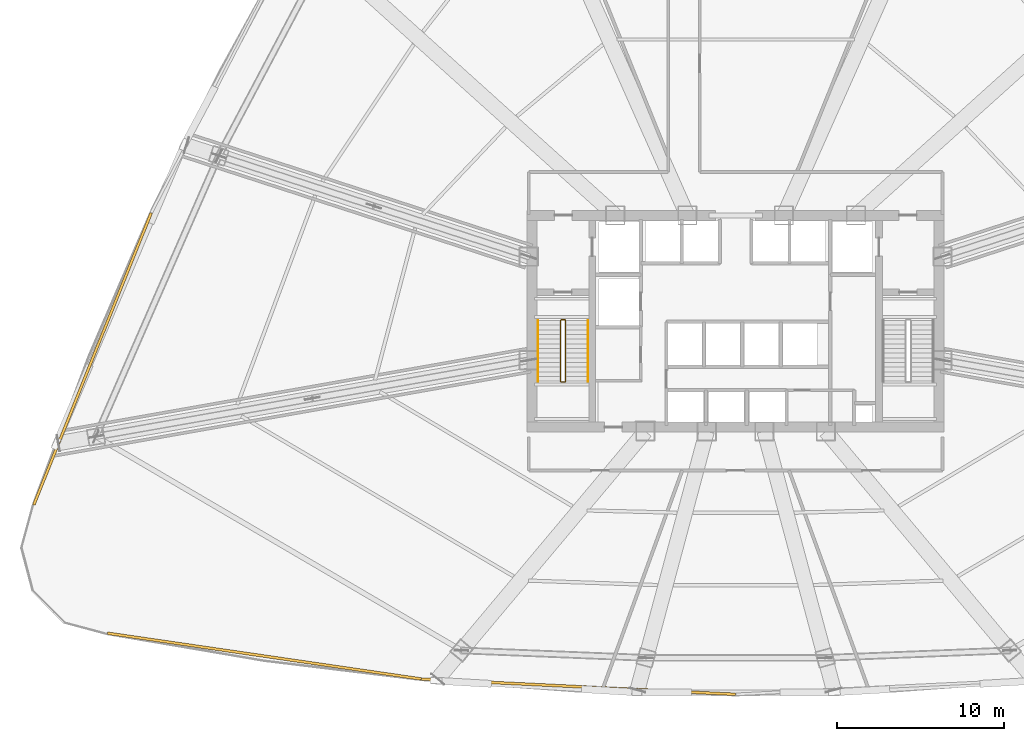
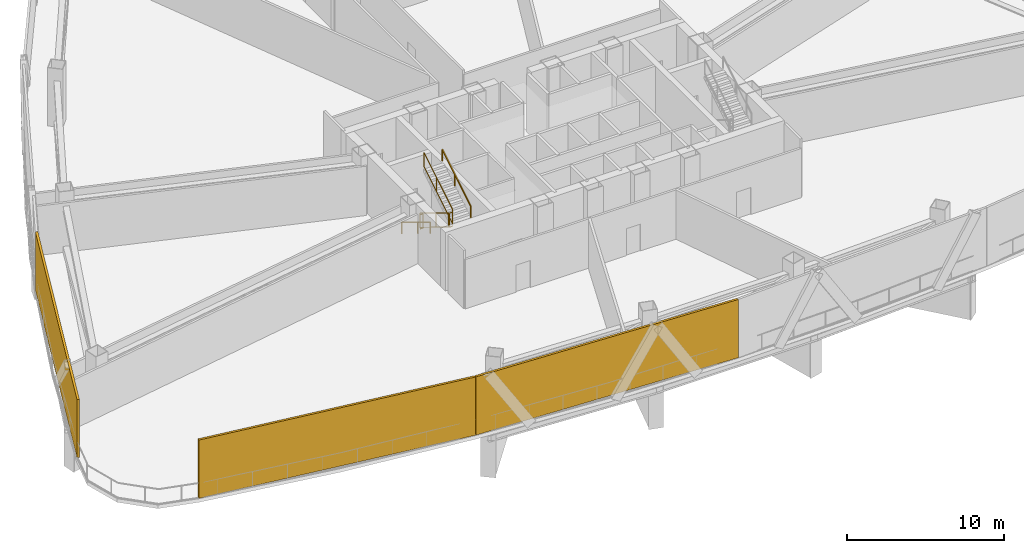
# One storey, part 12 of 17: 6 railings, 3 shading devices.
"""IFC4 building model written with IfcOpenShell, lengths in metres."""

from ifc_helpers import new_model, si_unit, direction, frame, origin, origin_2d, place, context, subcontext, project, spatial, rectangle, extrude, source, transform, mapped, material, layer, layer_set, type_object, element, save


model = new_model("IFC4")

# Units and contexts
model_context = context("Model", 3, precision=1e-05, world=origin(), true_north=direction((0.0, 1.0)))
body_context = subcontext(model_context, "Body", "Model", "MODEL_VIEW")
ifc_project = project(units=[si_unit("LENGTHUNIT", "METRE"), si_unit("AREAUNIT", "SQUARE_METRE"), si_unit("VOLUMEUNIT", "CUBIC_METRE"), si_unit("PLANEANGLEUNIT", "RADIAN"), si_unit("MASSUNIT", "GRAM", prefix="KILO"), si_unit("THERMODYNAMICTEMPERATUREUNIT", "KELVIN"), si_unit("POWERUNIT", "WATT")], contexts=[model_context])

# Site, building, storey
site_placement = place(None, origin())
site = spatial("IfcSite", under=ifc_project, at=site_placement, CompositionType="ELEMENT")
building_placement = place(site_placement, origin())
building = spatial("IfcBuilding", under=site, at=building_placement, Name="Yunzhuo Pagoda Commons", CompositionType="ELEMENT")
storey_placement = place(building_placement, frame((0.0, 0.0, 76.3798828125)))
storey = spatial("IfcBuildingStorey", under=building, at=storey_placement, Name="L19", CompositionType="ELEMENT", Elevation=76.3798828125)

# Railings
ifc_material = material(Name="Anodized aluminium 6063-T6", Category="aluminium")
railing_type_1 = type_object("IfcRailingType", Name="GR-ST1 Stair Well Guardrail 1150", PredefinedType="GUARDRAIL", material=ifc_material)
railing_1_placement = place(storey_placement, frame((37.5, 33.89990234375, 0.171630859375)))
element("IfcRailing", 1, at=railing_1_placement, inside=storey, type_object=railing_type_1, Name="L19 ST1 stair guard 1", PredefinedType="GUARDRAIL", context=body_context, shape_type="SweptSolid", body=[
    extrude(rectangle(XDim=0.048095703125, YDim=0.048095703125, at=origin_2d()), frame((0.0, 0.0, 1.1259765625), z_axis=(0.0, -0.852850264322, 0.5221555579), x_axis=(1.0, 0.0, 0.0)), (0.0, 0.0, 1.0), 4.267822265625),
    extrude(rectangle(XDim=0.048095703125, YDim=0.048095703125, at=origin_2d()), frame((0.0, 0.0, 0.02392578125), z_axis=(0.0, -0.852850264322, 0.5221555579), x_axis=(1.0, 0.0, 0.0)), (0.0, 0.0, 1.0), 4.267822265625),
    extrude(rectangle(XDim=0.0419921875, YDim=0.0419921875, at=origin_2d()), origin(), (0.0, 0.0, 1.0), 1.101806640625),
    extrude(rectangle(XDim=0.0419921875, YDim=0.0419921875, at=origin_2d()), frame((0.0, -2.046875, 1.253173828125)), (0.0, 0.0, 1.0), 1.101806640625),
    extrude(rectangle(XDim=0.0419921875, YDim=0.0419921875, at=origin_2d()), frame((0.0, -3.639892578125, 2.228515625)), (0.0, 0.0, 1.0), 1.101806640625),
])
railing_2_placement = place(storey_placement, frame((37.550048828125, 30.2099609375, 2.400146484375)))
element("IfcRailing", 2, at=railing_2_placement, inside=storey, type_object=railing_type_1, Name="L19 ST1 stair guard 2", PredefinedType="GUARDRAIL", context=body_context, shape_type="SweptSolid", body=[
    extrude(rectangle(XDim=0.048095703125, YDim=0.048095703125, at=origin_2d()), frame((0.0, 0.0, 1.1259765625), z_axis=(1.0, 0.0, 0.0), x_axis=(0.0, 1.0, 0.0)), (0.0, 0.0, 1.0), 0.199951171875),
    extrude(rectangle(XDim=0.048095703125, YDim=0.048095703125, at=origin_2d()), frame((0.0, 0.0, 0.02392578125), z_axis=(1.0, 0.0, 0.0), x_axis=(0.0, 1.0, 0.0)), (0.0, 0.0, 1.0), 0.199951171875),
    extrude(rectangle(XDim=0.0419921875, YDim=0.0419921875, at=origin_2d()), origin(), (0.0, 0.0, 1.0), 1.101806640625),
    extrude(rectangle(XDim=0.0419921875, YDim=0.0419921875, at=origin_2d()), frame((0.199951171875, 0.0, 0.0)), (0.0, 0.0, 1.0), 1.101806640625),
])
railing_3_placement = place(storey_placement, frame((37.800048828125, 30.260009765625, 2.571533203125)))
element("IfcRailing", 3, at=railing_3_placement, inside=storey, type_object=railing_type_1, Name="L19 ST1 stair guard 3", PredefinedType="GUARDRAIL", context=body_context, shape_type="SweptSolid", body=[
    extrude(rectangle(XDim=0.048095703125, YDim=0.048095703125, at=origin_2d()), frame((0.0, 0.0, 1.1259765625), z_axis=(0.0, 0.852850264322, 0.5221555579), x_axis=(-1.0, 0.0, 0.0)), (0.0, 0.0, 1.0), 4.267822265625),
    extrude(rectangle(XDim=0.048095703125, YDim=0.048095703125, at=origin_2d()), frame((0.0, 0.0, 0.02392578125), z_axis=(0.0, 0.852850264322, 0.5221555579), x_axis=(-1.0, 0.0, 0.0)), (0.0, 0.0, 1.0), 4.267822265625),
    extrude(rectangle(XDim=0.0419921875, YDim=0.0419921875, at=origin_2d()), origin(), (0.0, 0.0, 1.0), 1.101806640625),
    extrude(rectangle(XDim=0.0419921875, YDim=0.0419921875, at=origin_2d()), frame((0.0, 2.046875, 1.253173828125)), (0.0, 0.0, 1.0), 1.101806640625),
    extrude(rectangle(XDim=0.0419921875, YDim=0.0419921875, at=origin_2d()), frame((0.0, 3.639892578125, 2.228515625)), (0.0, 0.0, 1.0), 1.101806640625),
])
railing_4_placement = place(storey_placement, frame((37.550048828125, 33.949951171875, 0.0)))
element("IfcRailing", 4, at=railing_4_placement, inside=storey, type_object=railing_type_1, Name="L19 ST1 stair guard 4", PredefinedType="GUARDRAIL", context=body_context, shape_type="SweptSolid", body=[
    extrude(rectangle(XDim=0.048095703125, YDim=0.048095703125, at=origin_2d()), frame((0.0, 0.0, 1.1259765625), z_axis=(1.0, 0.0, 0.0), x_axis=(0.0, 1.0, 0.0)), (0.0, 0.0, 1.0), 0.199951171875),
    extrude(rectangle(XDim=0.048095703125, YDim=0.048095703125, at=origin_2d()), frame((0.0, 0.0, 0.02392578125), z_axis=(1.0, 0.0, 0.0), x_axis=(0.0, 1.0, 0.0)), (0.0, 0.0, 1.0), 0.199951171875),
    extrude(rectangle(XDim=0.0419921875, YDim=0.0419921875, at=origin_2d()), origin(), (0.0, 0.0, 1.0), 1.101806640625),
    extrude(rectangle(XDim=0.0419921875, YDim=0.0419921875, at=origin_2d()), frame((0.199951171875, 0.0, 0.0)), (0.0, 0.0, 1.0), 1.101806640625),
])
railing_type_2 = type_object("IfcRailingType", Name="HR-ST1 Stair Handrail 900", PredefinedType="HANDRAIL", material=ifc_material)
railing_5_placement = place(storey_placement, frame((36.14990234375, 33.89990234375, 0.171630859375)))
element("IfcRailing", 5, at=railing_5_placement, inside=storey, type_object=railing_type_2, Name="L19 ST1 stair handrail 1", PredefinedType="HANDRAIL", context=body_context, shape_type="SweptSolid", body=[
    extrude(rectangle(XDim=0.048095703125, YDim=0.048095703125, at=origin_2d()), frame((0.0, 0.0, 0.8759765625), z_axis=(0.0, -0.852850264322, 0.5221555579), x_axis=(1.0, 0.0, 0.0)), (0.0, 0.0, 1.0), 4.267822265625),
    extrude(rectangle(XDim=0.0419921875, YDim=0.0419921875, at=origin_2d()), origin(), (0.0, 0.0, 1.0), 0.851806640625),
    extrude(rectangle(XDim=0.0419921875, YDim=0.0419921875, at=origin_2d()), frame((0.0, -2.046875, 1.253173828125)), (0.0, 0.0, 1.0), 0.851806640625),
    extrude(rectangle(XDim=0.0419921875, YDim=0.0419921875, at=origin_2d()), frame((0.0, -3.639892578125, 2.228515625)), (0.0, 0.0, 1.0), 0.851806640625),
])
railing_6_placement = place(storey_placement, frame((39.14990234375, 30.260009765625, 2.571533203125)))
element("IfcRailing", 6, at=railing_6_placement, inside=storey, type_object=railing_type_2, Name="L19 ST1 stair handrail 2", PredefinedType="HANDRAIL", context=body_context, shape_type="SweptSolid", body=[
    extrude(rectangle(XDim=0.048095703125, YDim=0.048095703125, at=origin_2d()), frame((0.0, 0.0, 0.8759765625), z_axis=(0.0, 0.852850264322, 0.5221555579), x_axis=(-1.0, 0.0, 0.0)), (0.0, 0.0, 1.0), 4.267822265625),
    extrude(rectangle(XDim=0.0419921875, YDim=0.0419921875, at=origin_2d()), origin(), (0.0, 0.0, 1.0), 0.851806640625),
    extrude(rectangle(XDim=0.0419921875, YDim=0.0419921875, at=origin_2d()), frame((0.0, 2.046875, 1.253173828125)), (0.0, 0.0, 1.0), 0.851806640625),
    extrude(rectangle(XDim=0.0419921875, YDim=0.0419921875, at=origin_2d()), frame((0.0, 3.639892578125, 2.228515625)), (0.0, 0.0, 1.0), 0.851806640625),
])

# Shading devices
ifc_layer = layer(ifc_material, 0.159912109375)
ifc_layer_set = layer_set([ifc_layer], Name="Anodized aluminium 6063-T6")
shading_device_type = type_object("IfcShadingDeviceType", Name="SH-SCR1 Stormproof Refuge Louvre Screen", PredefinedType="JALOUSIE", material=ifc_layer_set)
shared_shape_1 = source(origin(), body_context, "Body", "SweptSolid", [
    extrude(rectangle(XDim=19.008544921875, YDim=0.159912109375, at=origin_2d()), origin(), (0.0, 0.0, 1.0), 4.5400390625),
])
shading_device_1_placement = place(storey_placement, frame((19.744384765625, 13.771484375, 0.0), z_axis=(0.0, 0.0, 1.0), x_axis=(0.989510666697, -0.144459823108, 0.0)))
element("IfcShadingDevice", 7, at=shading_device_1_placement, inside=storey, type_object=shading_device_type, Name="L19 stormproof refuge louvre screen F1.1", PredefinedType="JALOUSIE", context=body_context, shape_type="MappedRepresentation", body=[
    mapped(shared_shape_1, transform((0.0, 0.0, 0.0), scale=1.0)),
])
shared_shape_2 = source(origin(), body_context, "Body", "SweptSolid", [
    extrude(rectangle(XDim=18.830810546875, YDim=0.159912109375, at=origin_2d()), origin(), (0.0, 0.0, 1.0), 4.5400390625),
])
shading_device_2_placement = place(storey_placement, frame((38.58154296875, 11.938232421875, 0.0), z_axis=(0.0, 0.0, 1.0), x_axis=(0.998818043775, -0.04860571396, 0.0)))
element("IfcShadingDevice", 8, at=shading_device_2_placement, inside=storey, type_object=shading_device_type, Name="L19 stormproof refuge louvre screen F1.2", PredefinedType="JALOUSIE", context=body_context, shape_type="MappedRepresentation", body=[
    mapped(shared_shape_2, transform((0.0, 0.0, 0.0), scale=1.0)),
])
shared_shape_3 = source(origin(), body_context, "Body", "SweptSolid", [
    extrude(rectangle(XDim=18.855712890625, YDim=0.159912109375, at=origin_2d()), origin(), (0.0, 0.0, 1.0), 4.5400390625),
])
shading_device_3_placement = place(storey_placement, frame((9.435302734375, 31.591796875, 0.0), z_axis=(0.0, 0.0, 1.0), x_axis=(-0.373003976317, -0.927829743893, 0.0)))
element("IfcShadingDevice", 9, at=shading_device_3_placement, inside=storey, type_object=shading_device_type, Name="L19 stormproof refuge louvre screen F3.4", PredefinedType="JALOUSIE", context=body_context, shape_type="MappedRepresentation", body=[
    mapped(shared_shape_3, transform((0.0, 0.0, 0.0), scale=1.0)),
])

save(model, "model.ifc")
